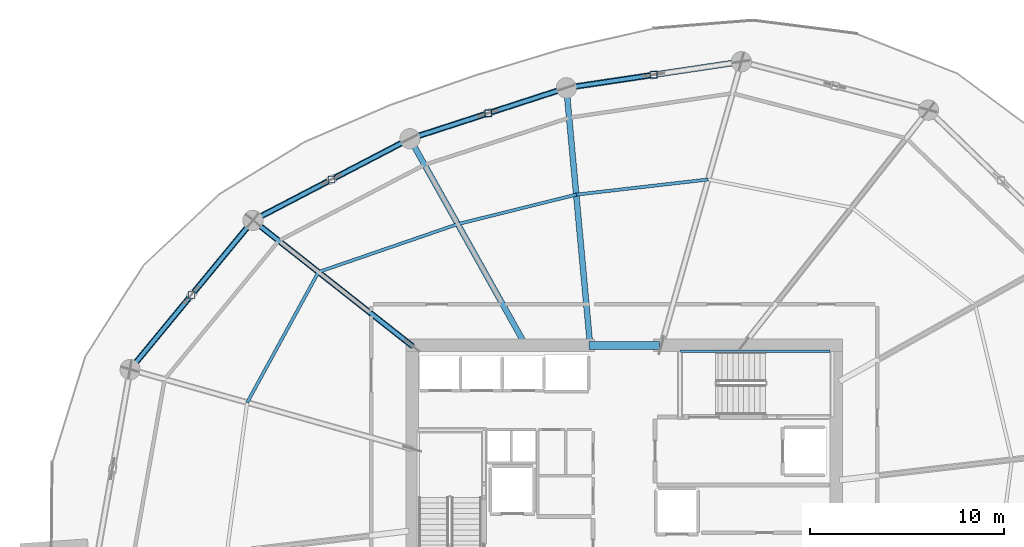
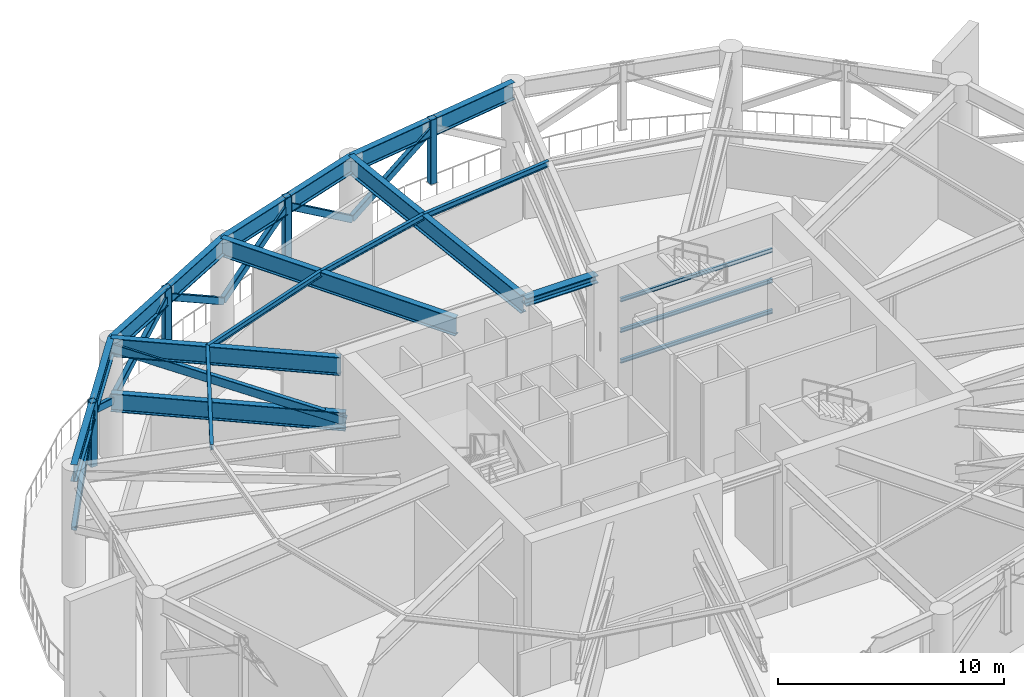
# One storey, part 7 of 20: 16 beams, 12 members.
"""IFC4 building model written with IfcOpenShell, lengths in metres."""

from ifc_helpers import new_model, si_unit, direction, frame, origin, origin_2d, place, context, subcontext, project, spatial, hollow_rectangle, i_section, extrude, material, material_profile, profile_set, type_object, element, save


model = new_model("IFC4")

# Units and contexts
model_context = context("Model", 3, precision=1e-05, world=origin(), true_north=direction((0.0, 1.0)))
body_context = subcontext(model_context, "Body", "Model", "MODEL_VIEW")
ifc_project = project(units=[si_unit("LENGTHUNIT", "METRE"), si_unit("AREAUNIT", "SQUARE_METRE"), si_unit("VOLUMEUNIT", "CUBIC_METRE"), si_unit("PLANEANGLEUNIT", "RADIAN"), si_unit("MASSUNIT", "GRAM", prefix="KILO")], contexts=[model_context])

# Site, building, storey
site_placement = place(None, origin())
site = spatial("IfcSite", under=ifc_project, at=site_placement, CompositionType="ELEMENT")
building_placement = place(site_placement, origin())
building = spatial("IfcBuilding", under=site, at=building_placement, Name="Kazma Halo Residences", CompositionType="ELEMENT")
storey_placement = place(building_placement, frame((0.0, 0.0, 225.300048828125)))
storey = spatial("IfcBuildingStorey", under=building, at=storey_placement, Name="L57", CompositionType="ELEMENT", Elevation=225.300048828125)

# Beams
ifc_material = material(Name="Steel S355", Category="steel")
ifc_material_profile_1 = material_profile(ifc_material, i_section(OverallWidth=0.30908203125, OverallDepth=0.931884765625, WebThickness=0.02099609375, FlangeThickness=0.034423828125, FilletRadius=0.02392578125, at=origin_2d()), Name="W920x313")
ifc_profile_set_1 = profile_set([ifc_material_profile_1], Name="Steel S355")
beam_type_1 = type_object("IfcBeamType", Name="BM-BELT-W920A", PredefinedType="BEAM", material=ifc_profile_set_1)
beam_1_placement = place(storey_placement, frame((54.482666015625, 64.985595703125, 5.81396484375), z_axis=(-0.989035230402, -0.147679765114, 0.0), x_axis=(0.147679765114, -0.989035230402, 0.0)))
element("IfcBeam", 1, at=beam_1_placement, inside=storey, type_object=beam_type_1, Name="L57 perimeter ring beam 03", PredefinedType="BEAM", context=body_context, shape_type="SweptSolid", body=[
    extrude(i_section(OverallWidth=0.30908203125, OverallDepth=0.931884765625, WebThickness=0.02099609375, FlangeThickness=0.034423828125, FilletRadius=0.02392578125, at=origin_2d()), origin(), (0.0, 0.0, 1.0), 9.143798828125),
])
beam_2_placement = place(storey_placement, frame((45.439208984375, 63.63525390625, 5.81396484375), z_axis=(-0.951051374236, -0.309032819556, 0.0), x_axis=(0.309032819556, -0.951051374236, 0.0)))
element("IfcBeam", 2, at=beam_2_placement, inside=storey, type_object=beam_type_1, Name="L57 perimeter ring beam 04", PredefinedType="BEAM", context=body_context, shape_type="SweptSolid", body=[
    extrude(i_section(OverallWidth=0.30908203125, OverallDepth=0.931884765625, WebThickness=0.02099609375, FlangeThickness=0.034423828125, FilletRadius=0.02392578125, at=origin_2d()), origin(), (0.0, 0.0, 1.0), 8.50048828125),
])
beam_3_placement = place(storey_placement, frame((37.354736328125, 61.00830078125, 5.81396484375), z_axis=(-0.886958293318, -0.46184952735, 0.0), x_axis=(0.46184952735, -0.886958293318, 0.0)))
element("IfcBeam", 3, at=beam_3_placement, inside=storey, type_object=beam_type_1, Name="L57 perimeter ring beam 05", PredefinedType="BEAM", context=body_context, shape_type="SweptSolid", body=[
    extrude(i_section(OverallWidth=0.30908203125, OverallDepth=0.931884765625, WebThickness=0.02099609375, FlangeThickness=0.034423828125, FilletRadius=0.02392578125, at=origin_2d()), origin(), (0.0, 0.0, 1.0), 9.1435546875),
])
beam_4_placement = place(storey_placement, frame((29.244873046875, 56.785400390625, 5.81396484375), z_axis=(-0.636004604932, -0.771685261299, 0.0), x_axis=(0.771685261299, -0.636004604932, 0.0)))
element("IfcBeam", 4, at=beam_4_placement, inside=storey, type_object=beam_type_1, Name="L57 perimeter ring beam 06", PredefinedType="BEAM", context=body_context, shape_type="SweptSolid", body=[
    extrude(i_section(OverallWidth=0.30908203125, OverallDepth=0.931884765625, WebThickness=0.02099609375, FlangeThickness=0.034423828125, FilletRadius=0.02392578125, at=origin_2d()), origin(), (0.0, 0.0, 1.0), 9.98486328125),
])
ifc_material_profile_2 = material_profile(ifc_material, i_section(OverallWidth=0.408935546875, OverallDepth=0.425048828125, WebThickness=0.03271484375, FlangeThickness=0.052490234375, FilletRadius=0.02001953125, at=origin_2d()), Name="W360x421")
ifc_profile_set_2 = profile_set([ifc_material_profile_2], Name="Steel S355")
beam_type_2 = type_object("IfcBeamType", Name="BM-CORE-W360H", PredefinedType="BEAM", material=ifc_profile_set_2)
beam_5_placement = place(storey_placement, frame((46.60009765625, 50.324951171875, 6.0673828125), z_axis=(1.0, 0.0, 0.0), x_axis=(0.0, 1.0, 0.0)))
element("IfcBeam", 5, at=beam_5_placement, inside=storey, type_object=beam_type_2, Name="L57 core coupling beam N", PredefinedType="BEAM", context=body_context, shape_type="SweptSolid", body=[
    extrude(i_section(OverallWidth=0.408935546875, OverallDepth=0.425048828125, WebThickness=0.03271484375, FlangeThickness=0.052490234375, FilletRadius=0.02001953125, at=origin_2d()), origin(), (0.0, 0.0, 1.0), 3.64990234375),
])
ifc_material_profile_3 = material_profile(ifc_material, i_section(OverallWidth=0.300048828125, OverallDepth=0.98193359375, WebThickness=0.0166015625, FlangeThickness=0.032958984375, FilletRadius=0.02587890625, at=origin_2d()), Name="W1000x296")
ifc_profile_set_3 = profile_set([ifc_material_profile_3], Name="Steel S355")
beam_type_3 = type_object("IfcBeamType", Name="BM-OUTR-W1000C", PredefinedType="BEAM", material=ifc_profile_set_3)
beam_6_placement = place(storey_placement, frame((46.64990234375, 50.5, 5.7890625), z_axis=(-0.091782249057, 0.995779101386, 0.0), x_axis=(-0.995779101386, -0.091782249057, 0.0)))
element("IfcBeam", 6, at=beam_6_placement, inside=storey, type_object=beam_type_3, Name="L57 radial floor beam 04", PredefinedType="BEAM", context=body_context, shape_type="SweptSolid", body=[
    extrude(i_section(OverallWidth=0.300048828125, OverallDepth=0.98193359375, WebThickness=0.0166015625, FlangeThickness=0.032958984375, FilletRadius=0.02587890625, at=origin_2d()), origin(), (0.0, 0.0, 1.0), 13.19091796875),
])
beam_7_placement = place(storey_placement, frame((43.23974609375, 50.5, 5.7890625), z_axis=(-0.488626207297, 0.872493226073, 0.0), x_axis=(-0.872493226073, -0.488626207297, 0.0)))
element("IfcBeam", 7, at=beam_7_placement, inside=storey, type_object=beam_type_3, Name="L57 radial floor beam 05", PredefinedType="BEAM", context=body_context, shape_type="SweptSolid", body=[
    extrude(i_section(OverallWidth=0.300048828125, OverallDepth=0.98193359375, WebThickness=0.0166015625, FlangeThickness=0.032958984375, FilletRadius=0.02587890625, at=origin_2d()), origin(), (0.0, 0.0, 1.0), 12.0439453125),
])
beam_8_placement = place(storey_placement, frame((37.300048828125, 50.435302734375, 5.7890625), z_axis=(-0.785321239434, 0.619088483897, 0.0), x_axis=(-0.619088483897, -0.785321239434, 0.0)))
element("IfcBeam", 8, at=beam_8_placement, inside=storey, type_object=beam_type_3, Name="L57 radial floor beam 06", PredefinedType="BEAM", context=body_context, shape_type="SweptSolid", body=[
    extrude(i_section(OverallWidth=0.300048828125, OverallDepth=0.98193359375, WebThickness=0.0166015625, FlangeThickness=0.032958984375, FilletRadius=0.02587890625, at=origin_2d()), origin(), (0.0, 0.0, 1.0), 10.257080078125),
])
beam_9_placement = place(storey_placement, frame((37.47509765625, 50.297119140625, 2.820068359375), z_axis=(-0.785312508624, 0.619099558874, 0.0), x_axis=(-0.619099558874, -0.785312508624, 0.0)))
element("IfcBeam", 9, at=beam_9_placement, inside=storey, type_object=beam_type_3, Name="L57 radial outrigger bottom chord 03", PredefinedType="BEAM", context=body_context, shape_type="SweptSolid", body=[
    extrude(i_section(OverallWidth=0.300048828125, OverallDepth=0.98193359375, WebThickness=0.0166015625, FlangeThickness=0.032958984375, FilletRadius=0.02587890625, at=origin_2d()), origin(), (0.0, 0.0, 1.0), 10.480224609375),
])
ifc_material_profile_4 = material_profile(ifc_material, i_section(OverallWidth=0.1650390625, OverallDepth=0.31005859375, WebThickness=0.005859375, FlangeThickness=0.009765625, FilletRadius=0.011962890625, at=origin_2d()), Name="W310x38.7")
ifc_profile_set_4 = profile_set([ifc_material_profile_4], Name="Steel S355")
beam_type_4 = type_object("IfcBeamType", Name="BM-SEC-W310B", PredefinedType="JOIST", material=ifc_profile_set_4)
beam_10_placement = place(storey_placement, frame((52.7666015625, 58.901611328125, 6.125), z_axis=(-0.993468310239, -0.114108354431, 0.0), x_axis=(0.114108354431, -0.993468310239, 0.0)))
element("IfcBeam", 10, at=beam_10_placement, inside=storey, type_object=beam_type_4, Name="L57 circumferential floor joist 03", PredefinedType="JOIST", context=body_context, shape_type="SweptSolid", body=[
    extrude(i_section(OverallWidth=0.1650390625, OverallDepth=0.31005859375, WebThickness=0.005859375, FlangeThickness=0.009765625, FilletRadius=0.011962890625, at=origin_2d()), origin(), (0.0, 0.0, 1.0), 6.86376953125),
])
beam_11_placement = place(storey_placement, frame((45.94775390625, 58.118408203125, 6.125), z_axis=(-0.97039921521, -0.241506445296, 0.0), x_axis=(0.241506445296, -0.97039921521, 0.0)))
element("IfcBeam", 11, at=beam_11_placement, inside=storey, type_object=beam_type_4, Name="L57 circumferential floor joist 04", PredefinedType="JOIST", context=body_context, shape_type="SweptSolid", body=[
    extrude(i_section(OverallWidth=0.1650390625, OverallDepth=0.31005859375, WebThickness=0.005859375, FlangeThickness=0.009765625, FilletRadius=0.011962890625, at=origin_2d()), origin(), (0.0, 0.0, 1.0), 6.30810546875),
])
beam_12_placement = place(storey_placement, frame((39.826416015625, 56.594970703125, 6.125), z_axis=(-0.945602455776, -0.325324446715, 0.0), x_axis=(0.325324446715, -0.945602455776, 0.0)))
element("IfcBeam", 12, at=beam_12_placement, inside=storey, type_object=beam_type_4, Name="L57 circumferential floor joist 05", PredefinedType="JOIST", context=body_context, shape_type="SweptSolid", body=[
    extrude(i_section(OverallWidth=0.1650390625, OverallDepth=0.31005859375, WebThickness=0.005859375, FlangeThickness=0.009765625, FilletRadius=0.011962890625, at=origin_2d()), origin(), (0.0, 0.0, 1.0), 7.612548828125),
])
beam_13_placement = place(storey_placement, frame((32.6279296875, 54.118408203125, 6.125), z_axis=(-0.479288358154, -0.877657489991, 0.0), x_axis=(0.877657489991, -0.479288358154, 0.0)))
element("IfcBeam", 13, at=beam_13_placement, inside=storey, type_object=beam_type_4, Name="L57 circumferential floor joist 06", PredefinedType="JOIST", context=body_context, shape_type="SweptSolid", body=[
    extrude(i_section(OverallWidth=0.1650390625, OverallDepth=0.31005859375, WebThickness=0.005859375, FlangeThickness=0.009765625, FilletRadius=0.011962890625, at=origin_2d()), origin(), (0.0, 0.0, 1.0), 7.6845703125),
])
ifc_material_profile_5 = material_profile(ifc_material, i_section(OverallWidth=0.133056640625, OverallDepth=0.20703125, WebThickness=0.005859375, FlangeThickness=0.00830078125, FilletRadius=0.010009765625, at=origin_2d()), Name="W200x26.6")
ifc_profile_set_5 = profile_set([ifc_material_profile_5], Name="Steel S355")
beam_type_5 = type_object("IfcBeamType", Name="BM-TRIM-W200", PredefinedType="BEAM", material=ifc_profile_set_5)
for number, where, z_axis, x_axis, name in (
    (14, (51.31005859375, 50.02001953125, 1.344970703125), (1.0, 0.0, 0.0), (0.0, 1.0, 0.0), "L57 ST-02 landing north wall ledger"),
    (15, (51.31005859375, 50.02001953125, 2.994873046875), (1.0, 0.0, 0.0), (0.0, 1.0, 0.0), "L57 ST-02 landing north wall ledger"),
    (16, (51.31005859375, 50.02001953125, 4.64501953125), (1.0, 0.0, 0.0), (0.0, 1.0, 0.0), "L57 ST-02 landing north wall ledger"),
):
    element("IfcBeam", number, at=place(storey_placement, frame(where, z_axis=z_axis, x_axis=x_axis)), inside=storey, type_object=beam_type_5, Name=name, PredefinedType="BEAM", context=body_context, shape_type="SweptSolid", body=[
        extrude(i_section(OverallWidth=0.133056640625, OverallDepth=0.20703125, WebThickness=0.005859375, FlangeThickness=0.00830078125, FilletRadius=0.010009765625, at=origin_2d()), origin(), (0.0, 0.0, 1.0), 7.760009765625),
    ])

# Members
ifc_material_profile_6 = material_profile(ifc_material, hollow_rectangle(XDim=0.25, YDim=0.35009765625, WallThickness=0.01611328125, InnerFilletRadius=0.01611328125, OuterFilletRadius=0.031982421875, at=origin_2d()), Name="RHS350x250x16")
ifc_profile_set_6 = profile_set([ifc_material_profile_6], Name="Steel S355")
member_type_1 = type_object("IfcMemberType", Name="MBR-BELT-RHS350", PredefinedType="BRACE", material=ifc_profile_set_6)
member_1_placement = place(storey_placement, frame((45.439208984375, 63.63525390625, 2.820068359375), z_axis=(0.831883804185, 0.124191929084, 0.540874940338), x_axis=(-0.147653646903, 0.989039129942, 0.0)))
element("IfcMember", 17, at=member_1_placement, inside=storey, type_object=member_type_1, Name="L57 belt-truss chevron diagonal 03B", PredefinedType="BRACE", context=body_context, shape_type="SweptSolid", body=[
    extrude(hollow_rectangle(XDim=0.25, YDim=0.35009765625, WallThickness=0.01611328125, InnerFilletRadius=0.01611328125, OuterFilletRadius=0.031982421875, at=origin_2d()), origin(), (0.0, 0.0, 1.0), 5.435546875),
])
member_2_placement = place(storey_placement, frame((45.439208984375, 63.63525390625, 2.820068359375), z_axis=(-0.782149205111, -0.254165421811, 0.568895912536), x_axis=(0.309049702703, -0.951045888093, 0.0)))
element("IfcMember", 18, at=member_2_placement, inside=storey, type_object=member_type_1, Name="L57 belt-truss chevron diagonal 04A", PredefinedType="BRACE", context=body_context, shape_type="SweptSolid", body=[
    extrude(hollow_rectangle(XDim=0.25, YDim=0.35009765625, WallThickness=0.01611328125, InnerFilletRadius=0.01611328125, OuterFilletRadius=0.031982421875, at=origin_2d()), origin(), (0.0, 0.0, 1.0), 5.167724609375),
])
member_3_placement = place(storey_placement, frame((37.354736328125, 61.00830078125, 2.820068359375), z_axis=(0.78218588426, 0.254146639529, 0.568853872343), x_axis=(-0.309015938157, 0.95105685948, 0.0)))
element("IfcMember", 19, at=member_3_placement, inside=storey, type_object=member_type_1, Name="L57 belt-truss chevron diagonal 04B", PredefinedType="BRACE", context=body_context, shape_type="SweptSolid", body=[
    extrude(hollow_rectangle(XDim=0.25, YDim=0.35009765625, WallThickness=0.01611328125, InnerFilletRadius=0.01611328125, OuterFilletRadius=0.031982421875, at=origin_2d()), origin(), (0.0, 0.0, 1.0), 5.168212890625),
])
member_4_placement = place(storey_placement, frame((37.354736328125, 61.00830078125, 2.820068359375), z_axis=(-0.746024449225, -0.388441172671, 0.540889061206), x_axis=(0.461828521312, -0.886969231091, 0.0)))
element("IfcMember", 20, at=member_4_placement, inside=storey, type_object=member_type_1, Name="L57 belt-truss chevron diagonal 05A", PredefinedType="BRACE", context=body_context, shape_type="SweptSolid", body=[
    extrude(hollow_rectangle(XDim=0.25, YDim=0.35009765625, WallThickness=0.01611328125, InnerFilletRadius=0.01611328125, OuterFilletRadius=0.031982421875, at=origin_2d()), origin(), (0.0, 0.0, 1.0), 5.435302734375),
])
member_5_placement = place(storey_placement, frame((29.244873046875, 56.785400390625, 2.820068359375), z_axis=(0.746011432503, 0.3884793112, 0.54087962371), x_axis=(-0.461870532611, 0.886947355318, 0.0)))
element("IfcMember", 21, at=member_5_placement, inside=storey, type_object=member_type_1, Name="L57 belt-truss chevron diagonal 05B", PredefinedType="BRACE", context=body_context, shape_type="SweptSolid", body=[
    extrude(hollow_rectangle(XDim=0.25, YDim=0.35009765625, WallThickness=0.01611328125, InnerFilletRadius=0.01611328125, OuterFilletRadius=0.031982421875, at=origin_2d()), origin(), (0.0, 0.0, 1.0), 5.435546875),
])
for number, where, z_axis, x_axis, name in (
    (22, (29.244873046875, 56.785400390625, 2.820068359375), (-0.548052766399, -0.664944844977, 0.507431294247), (0.771673260728, -0.636019165338, 0.0), "L57 belt-truss chevron diagonal 06A"),
    (23, (22.89453125, 49.080322265625, 2.820068359375), (0.548023283705, 0.66496020122, 0.50744301287), (-0.771697261968, 0.635990043846, 0.0), "L57 belt-truss chevron diagonal 06B"),
):
    element("IfcMember", number, at=place(storey_placement, frame(where, z_axis=z_axis, x_axis=x_axis)), inside=storey, type_object=member_type_1, Name=name, PredefinedType="BRACE", context=body_context, shape_type="SweptSolid", body=[
        extrude(hollow_rectangle(XDim=0.25, YDim=0.35009765625, WallThickness=0.01611328125, InnerFilletRadius=0.01611328125, OuterFilletRadius=0.031982421875, at=origin_2d()), origin(), (0.0, 0.0, 1.0), 5.793701171875),
    ])
ifc_material_profile_7 = material_profile(ifc_material, hollow_rectangle(XDim=0.25, YDim=0.449951171875, WallThickness=0.01611328125, InnerFilletRadius=0.01611328125, OuterFilletRadius=0.031982421875, at=origin_2d()), Name="RHS450x250x16")
ifc_profile_set_7 = profile_set([ifc_material_profile_7], Name="Steel S355")
member_type_2 = type_object("IfcMemberType", Name="MBR-OUTR-RHS450", PredefinedType="BRACE", material=ifc_profile_set_7)
member_6_placement = place(storey_placement, frame((37.47509765625, 50.297119140625, 2.820068359375), z_axis=(-0.756124793556, 0.59608948158, 0.270097438937), x_axis=(-0.619099558874, -0.785312508624, 0.0)))
element("IfcMember", 24, at=member_6_placement, inside=storey, type_object=member_type_2, Name="L57 radial outrigger truss brace 03", PredefinedType="BRACE", context=body_context, shape_type="SweptSolid", body=[
    extrude(hollow_rectangle(XDim=0.25, YDim=0.449951171875, WallThickness=0.01611328125, InnerFilletRadius=0.01611328125, OuterFilletRadius=0.031982421875, at=origin_2d()), origin(), (0.0, 0.0, 1.0), 10.884765625),
])
ifc_material_profile_8 = material_profile(ifc_material, hollow_rectangle(XDim=0.35009765625, YDim=0.35009765625, WallThickness=0.01611328125, InnerFilletRadius=0.01611328125, OuterFilletRadius=0.031982421875, at=origin_2d()), Name="SHS350x350x16")
ifc_profile_set_8 = profile_set([ifc_material_profile_8], Name="Steel S355")
member_type_3 = type_object("IfcMemberType", Name="MBR-POST-SHS350", PredefinedType="STRUT", material=ifc_profile_set_8)
for number, where, z_axis, x_axis, name in (
    (25, (49.9609375, 64.310302734375, 2.820068359375), (0.0, 0.0, 1.0), (1.0, 0.0, 0.0), "L57 belt-truss web post 03"),
    (26, (41.397216796875, 62.32177734375, 2.820068359375), (0.0, 0.0, 1.0), (1.0, 0.0, 0.0), "L57 belt-truss web post 04"),
    (27, (33.2998046875, 58.89697265625, 2.820068359375), (0.0, 0.0, 1.0), (1.0, 0.0, 0.0), "L57 belt-truss web post 05"),
    (28, (26.069580078125, 52.932861328125, 2.820068359375), (0.0, 0.0, 1.0), (1.0, 0.0, 0.0), "L57 belt-truss web post 06"),
):
    element("IfcMember", number, at=place(storey_placement, frame(where, z_axis=z_axis, x_axis=x_axis)), inside=storey, type_object=member_type_3, Name=name, PredefinedType="STRUT", context=body_context, shape_type="SweptSolid", body=[
        extrude(hollow_rectangle(XDim=0.35009765625, YDim=0.35009765625, WallThickness=0.01611328125, InnerFilletRadius=0.01611328125, OuterFilletRadius=0.031982421875, at=origin_2d()), origin(), (0.0, 0.0, 1.0), 3.4599609375),
    ])

save(model, "model.ifc")
